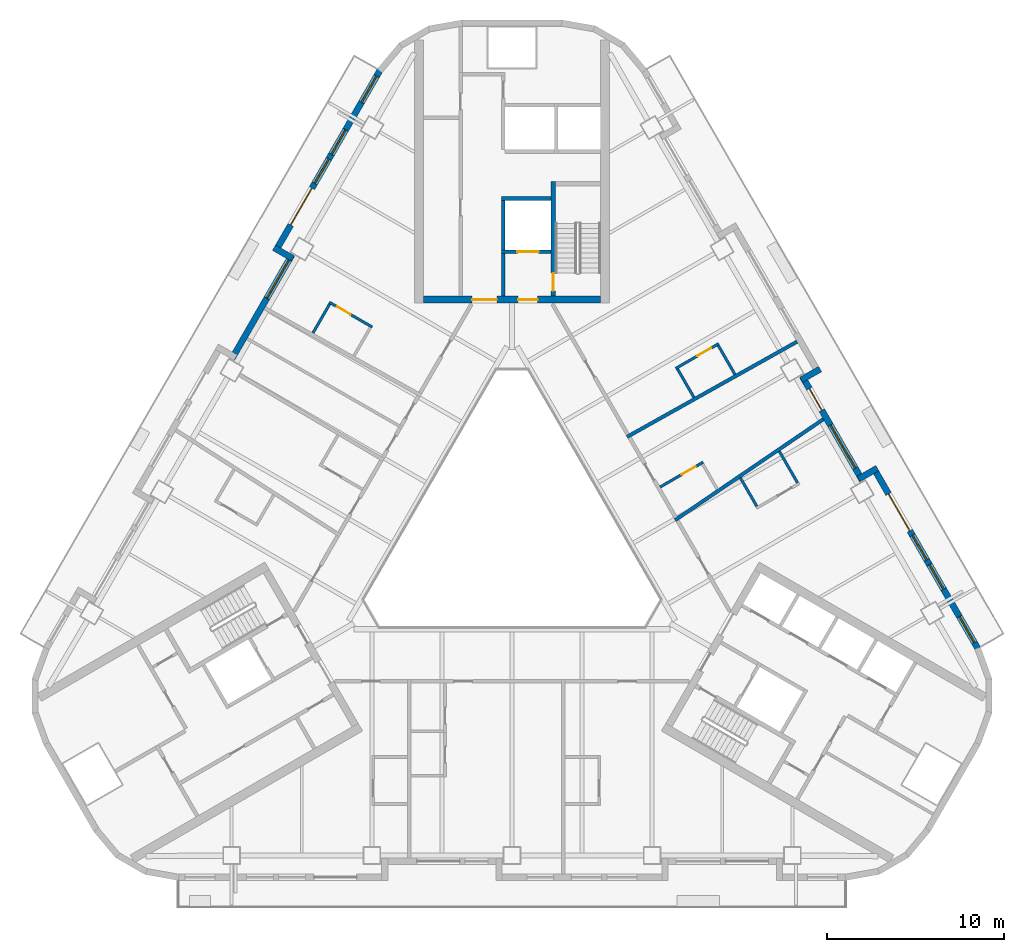
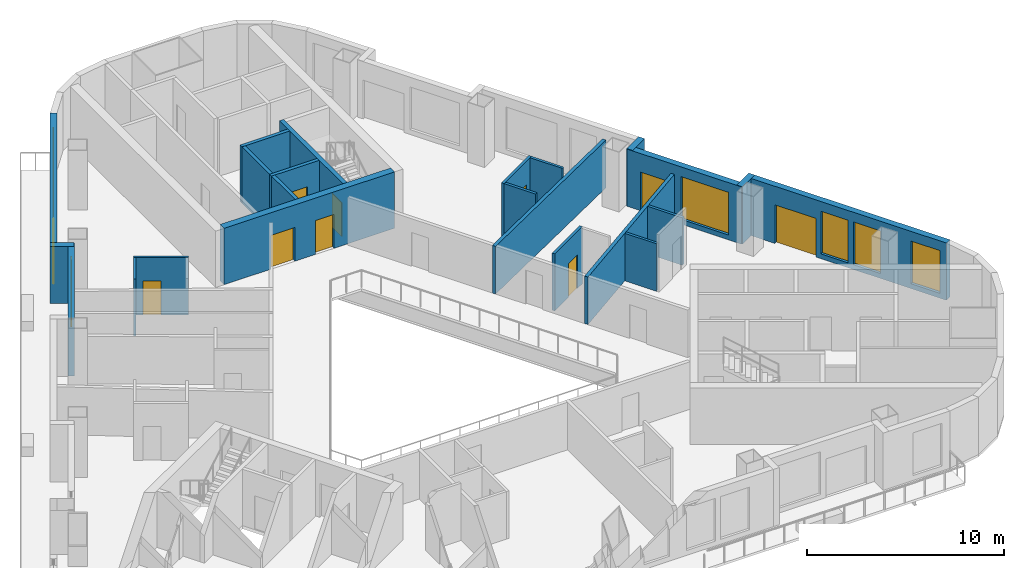
# One storey, part 6 of 13: 23 walls, 10 doors, 8 windows, 18 openings.
"""IFC4 building model written with IfcOpenShell, lengths in metres."""

from ifc_helpers import new_model, si_unit, direction, frame, frame_2d, origin, place, context, subcontext, project, spatial, rectangle, extrude, material, layer, layer_set, type_object, element, fill, save


model = new_model("IFC4")

# Units and contexts
model_context = context("Model", 3, precision=1e-05, world=origin(), true_north=direction((0.0, 1.0)))
body_context = subcontext(model_context, "Body", "Model", "MODEL_VIEW")
ifc_project = project(units=[si_unit("LENGTHUNIT", "METRE"), si_unit("AREAUNIT", "SQUARE_METRE"), si_unit("VOLUMEUNIT", "CUBIC_METRE"), si_unit("PLANEANGLEUNIT", "RADIAN"), si_unit("MASSUNIT", "GRAM", prefix="KILO")], contexts=[model_context])

# Site, building, storey
site_placement = place(None, origin())
site = spatial("IfcSite", under=ifc_project, at=site_placement, CompositionType="ELEMENT")
building_placement = place(site_placement, origin())
building = spatial("IfcBuilding", under=site, at=building_placement, Name="Apuvela Tower Hotel", CompositionType="ELEMENT")
storey_placement = place(building_placement, frame((0.0, 0.0, 57.60009765625)))
storey = spatial("IfcBuildingStorey", under=building, at=storey_placement, Name="L11", CompositionType="ELEMENT", Elevation=57.60009765625)

# Wall, openings, doors
ifc_material_1 = material(Name="Concrete C50/60", Category="concrete")
ifc_layer_1 = layer(ifc_material_1, 0.39990234375)
ifc_layer_set_1 = layer_set([ifc_layer_1], Name="COR-WALL-CORE-400")
wall_type_1 = type_object("IfcWallType", Name="COR-WALL-CORE-400", PredefinedType="SHEAR", material=ifc_layer_set_1)
wall_1_placement = place(storey_placement, frame((5.0, 13.10009765625, 0.0), z_axis=(0.0, 0.0, 1.0), x_axis=(-1.0, 0.0, 0.0)))
wall_1 = element("IfcWall", 1, at=wall_1_placement, inside=storey, type_object=wall_type_1, Name="Core wall N", PredefinedType="SHEAR", context=body_context, shape_type="SweptSolid", body=[
    extrude(rectangle(XDim=10.0, YDim=0.39990234375, at=frame_2d((5.0, 0.0))), origin(), (0.0, 0.0, 1.0), 3.5),
])
opening_1_placement = place(wall_1_placement, frame((3.550048828125, 0.0, 0.0)))
opening_1 = element("IfcOpeningElement", 2, at=opening_1_placement, cuts=wall_1, Name="Opening N-FD", PredefinedType="OPENING", context=body_context, shape_type="SweptSolid", body=[
    extrude(rectangle(XDim=1.10009765625, YDim=2.10009765625, at=frame_2d((0.550048828125, 1.050048828125))), frame((0.0, 0.2099609375, 0.0), z_axis=(0.0, -1.0, 0.0), x_axis=(1.0, 0.0, 0.0)), (0.0, 0.0, 1.0), 0.419921875),
])
opening_2_placement = place(wall_1_placement, frame((5.85009765625, 0.0, 0.0)))
opening_2 = element("IfcOpeningElement", 3, at=opening_2_placement, cuts=wall_1, Name="Opening N-GD", PredefinedType="OPENING", context=body_context, shape_type="SweptSolid", body=[
    extrude(rectangle(XDim=1.39990234375, YDim=2.10009765625, at=frame_2d((0.699951171875, 1.050048828125))), frame((0.0, 0.2099609375, 0.0), z_axis=(0.0, -1.0, 0.0), x_axis=(1.0, 0.0, 0.0)), (0.0, 0.0, 1.0), 0.419921875),
])
ifc_material_2 = material(Name="Steel fire door, powder coated", Category="steel")
door_type_1 = type_object("IfcDoorType", Name="COR-FD-1100", OperationType="NOTDEFINED", PredefinedType="DOOR", material=ifc_material_2)
door_1_placement = place(opening_1_placement, frame((1.10009765625, 0.0, 0.0), z_axis=(0.0, 0.0, 1.0), x_axis=(-1.0, 0.0, 0.0)))
door_1 = element("IfcDoor", 4, at=door_1_placement, inside=storey, type_object=door_type_1, Name="Firefighting lobby door N-FD", OperationType="SINGLE_SWING_LEFT", OverallHeight=2.10009765625, OverallWidth=1.10009765625, PredefinedType="DOOR", context=body_context, shape_type="SweptSolid", body=[
    extrude(rectangle(XDim=1.10009765625, YDim=2.10009765625, at=frame_2d((0.550048828125, 1.050048828125))), frame((0.0, 0.02490234375, 0.0), z_axis=(0.0, -1.0, 0.0), x_axis=(1.0, 0.0, 0.0)), (0.0, 0.0, 1.0), 0.050048828125),
])
fill(opening_1, door_1)
ifc_material_3 = material(Name="Glazed steel fire door", Category="steel")
door_type_2 = type_object("IfcDoorType", Name="COR-GD-1400", OperationType="DOUBLE_DOOR_SINGLE_SWING", PredefinedType="DOOR", material=ifc_material_3)
door_2_placement = place(opening_2_placement, frame((1.39990234375, 0.0, 0.0), z_axis=(0.0, 0.0, 1.0), x_axis=(-1.0, 0.0, 0.0)))
door_2 = element("IfcDoor", 5, at=door_2_placement, inside=storey, type_object=door_type_2, Name="Lift lobby door N-GD", OperationType="DOUBLE_DOOR_SINGLE_SWING", OverallHeight=2.10009765625, OverallWidth=1.39990234375, PredefinedType="DOOR", context=body_context, shape_type="SweptSolid", body=[
    extrude(rectangle(XDim=1.39990234375, YDim=2.10009765625, at=frame_2d((0.699951171875, 1.050048828125))), frame((0.0, 0.02490234375, 0.0), z_axis=(0.0, -1.0, 0.0), x_axis=(1.0, 0.0, 0.0)), (0.0, 0.0, 1.0), 0.050048828125),
])
fill(opening_2, door_2)

# Wall
ifc_layer_2 = layer(ifc_material_1, 0.199951171875)
ifc_layer_set_2 = layer_set([ifc_layer_2], Name="COR-WALL-SHAFT-200")
wall_type_2 = type_object("IfcWallType", Name="COR-WALL-SHAFT-200", PredefinedType="SHEAR", material=ifc_layer_set_2)
wall_2_placement = place(storey_placement, frame((2.199951171875, 18.800048828125, 0.0), z_axis=(0.0, 0.0, 1.0), x_axis=(-1.0, 0.0, 0.0)))
element("IfcWall", 6, at=wall_2_placement, inside=storey, type_object=wall_type_2, Name="Shaft wall N", PredefinedType="SHEAR", context=body_context, shape_type="SweptSolid", body=[
    extrude(rectangle(XDim=2.800048828125, YDim=0.199951171875, at=frame_2d((1.39990234375, 0.0))), origin(), (0.0, 0.0, 1.0), 3.5),
])

# Wall, opening, door
wall_3_placement = place(storey_placement, frame((2.199951171875, 15.800048828125, 0.0), z_axis=(0.0, 0.0, 1.0), x_axis=(-1.0, 0.0, 0.0)))
wall_3 = element("IfcWall", 7, at=wall_3_placement, inside=storey, type_object=wall_type_2, Name="Shaft wall N", PredefinedType="SHEAR", context=body_context, shape_type="SweptSolid", body=[
    extrude(rectangle(XDim=2.800048828125, YDim=0.199951171875, at=frame_2d((1.39990234375, 0.0))), origin(), (0.0, 0.0, 1.0), 3.5),
])
opening_3_placement = place(wall_3_placement, frame((0.699951171875, 0.0, 0.0)))
opening_3 = element("IfcOpeningElement", 8, at=opening_3_placement, cuts=wall_3, Name="Opening N-LD-FS1", PredefinedType="OPENING", context=body_context, shape_type="SweptSolid", body=[
    extrude(rectangle(XDim=1.199951171875, YDim=2.10009765625, at=frame_2d((0.60009765625, 1.050048828125))), frame((0.0, 0.10986328125, 0.0), z_axis=(0.0, -1.0, 0.0), x_axis=(1.0, 0.0, 0.0)), (0.0, 0.0, 1.0), 0.219970703125),
])
ifc_material_4 = material(Name="Stainless steel lift landing door", Category="steel")
door_type_3 = type_object("IfcDoorType", Name="COR-LD-1200", OperationType="DOUBLE_DOOR_SLIDING", PredefinedType="DOOR", material=ifc_material_4)
door_3_placement = place(opening_3_placement, origin())
door_3 = element("IfcDoor", 9, at=door_3_placement, inside=storey, type_object=door_type_3, Name="Lift landing door N-LD-FS1", OperationType="DOUBLE_DOOR_SLIDING", OverallHeight=2.10009765625, OverallWidth=1.199951171875, PredefinedType="DOOR", context=body_context, shape_type="SweptSolid", body=[
    extrude(rectangle(XDim=1.199951171875, YDim=2.10009765625, at=frame_2d((0.60009765625, 1.050048828125))), frame((0.0, 0.02490234375, 0.0), z_axis=(0.0, -1.0, 0.0), x_axis=(1.0, 0.0, 0.0)), (0.0, 0.0, 1.0), 0.050048828125),
])
fill(opening_3, door_3)

# Walls
wall_4_placement = place(storey_placement, frame((-0.5, 15.89990234375, 0.0), z_axis=(0.0, 0.0, 1.0), x_axis=(0.0, 1.0, 0.0)))
element("IfcWall", 10, at=wall_4_placement, inside=storey, type_object=wall_type_2, Name="Shaft wall N", PredefinedType="SHEAR", context=body_context, shape_type="SweptSolid", body=[
    extrude(rectangle(XDim=2.800048828125, YDim=0.199951171875, at=frame_2d((1.39990234375, 0.0))), origin(), (0.0, 0.0, 1.0), 3.5),
])
wall_5_placement = place(storey_placement, frame((-0.5, 13.300048828125, 0.0), z_axis=(0.0, 0.0, 1.0), x_axis=(0.0, 1.0, 0.0)))
element("IfcWall", 11, at=wall_5_placement, inside=storey, type_object=wall_type_2, Name="Shaft wall N", PredefinedType="SHEAR", context=body_context, shape_type="SweptSolid", body=[
    extrude(rectangle(XDim=2.39990234375, YDim=0.199951171875, at=frame_2d((1.199951171875, 0.0))), origin(), (0.0, 0.0, 1.0), 3.5),
])

# Wall, opening, door
ifc_layer_3 = layer(ifc_material_1, 0.25)
ifc_layer_set_3 = layer_set([ifc_layer_3], Name="COR-WALL-STAIR-250")
wall_type_3 = type_object("IfcWallType", Name="COR-WALL-STAIR-250", PredefinedType="SHEAR", material=ifc_layer_set_3)
wall_6_placement = place(storey_placement, frame((2.324951171875, 13.300048828125, 0.0), z_axis=(0.0, 0.0, 1.0), x_axis=(0.0, 1.0, 0.0)))
wall_6 = element("IfcWall", 12, at=wall_6_placement, inside=storey, type_object=wall_type_3, Name="Stair wall N", PredefinedType="SHEAR", context=body_context, shape_type="SweptSolid", body=[
    extrude(rectangle(XDim=6.449951171875, YDim=0.25, at=frame_2d((3.22509765625, 0.0))), origin(), (0.0, 0.0, 1.0), 3.5),
])
opening_4_placement = place(wall_6_placement, frame((0.300048828125, 0.0, 0.0)))
opening_4 = element("IfcOpeningElement", 13, at=opening_4_placement, cuts=wall_6, Name="Opening N-SD", PredefinedType="OPENING", context=body_context, shape_type="SweptSolid", body=[
    extrude(rectangle(XDim=1.0, YDim=2.10009765625, at=frame_2d((0.5, 1.050048828125))), frame((0.0, 0.135009765625, 0.0), z_axis=(0.0, -1.0, 0.0), x_axis=(1.0, 0.0, 0.0)), (0.0, 0.0, 1.0), 0.27001953125),
])
door_type_4 = type_object("IfcDoorType", Name="COR-SD-1000", OperationType="NOTDEFINED", PredefinedType="DOOR", material=ifc_material_2)
door_4_placement = place(opening_4_placement, frame((1.0, 0.0, 0.0), z_axis=(0.0, 0.0, 1.0), x_axis=(-1.0, 0.0, 0.0)))
door_4 = element("IfcDoor", 14, at=door_4_placement, inside=storey, type_object=door_type_4, Name="Stair door N-SD", OperationType="SINGLE_SWING_LEFT", OverallHeight=2.10009765625, OverallWidth=1.0, PredefinedType="DOOR", context=body_context, shape_type="SweptSolid", body=[
    extrude(rectangle(XDim=1.0, YDim=2.10009765625, at=frame_2d((0.5, 1.050048828125))), frame((0.0, 0.02490234375, 0.0), z_axis=(0.0, -1.0, 0.0), x_axis=(1.0, 0.0, 0.0)), (0.0, 0.0, 1.0), 0.050048828125),
])
fill(opening_4, door_4)

# Wall, openings, door, windows
ifc_material_5 = material(Name="Concrete C40/50, dark pigmented precast panel", Category="concrete")
ifc_layer_4 = layer(ifc_material_5, 0.35009765625)
ifc_layer_set_4 = layer_set([ifc_layer_4], Name="ENV-WALL-350")
wall_type_4 = type_object("IfcWallType", Name="ENV-WALL-350", PredefinedType="SOLIDWALL", material=ifc_layer_set_4)
wall_7_placement = place(storey_placement, frame((-7.440673828125, 26.0224609375, 0.0), z_axis=(0.0, 0.0, 1.0), x_axis=(-0.499992533062, -0.86602971478, 0.0)))
wall_7 = element("IfcWall", 15, at=wall_7_placement, inside=storey, type_object=wall_type_4, Name="External wall L11-01", PredefinedType="SOLIDWALL", context=body_context, shape_type="SweptSolid", body=[
    extrude(rectangle(XDim=11.815673828125, YDim=0.35009765625, at=frame_2d((5.90771484375, 0.0))), origin(), (0.0, 0.0, 1.0), 3.5498046875),
])
opening_5_placement = place(wall_7_placement, frame((0.381103515625, 0.0, 0.300048828125)))
opening_5 = element("IfcOpeningElement", 16, at=opening_5_placement, cuts=wall_7, Name="Opening WN17", PredefinedType="OPENING", context=body_context, shape_type="SweptSolid", body=[
    extrude(rectangle(XDim=1.699951171875, YDim=2.64990234375, at=frame_2d((0.85009765625, 1.324951171875))), frame((0.0, 0.18505859375, 0.0), z_axis=(0.0, -1.0, 0.0), x_axis=(1.0, 0.0, 0.0)), (0.0, 0.0, 1.0), 0.3701171875),
])
opening_6_placement = place(wall_7_placement, frame((7.66552734375, 0.0, 0.0)))
opening_6 = element("IfcOpeningElement", 17, at=opening_6_placement, cuts=wall_7, Name="Opening BD24", PredefinedType="OPENING", context=body_context, shape_type="SweptSolid", body=[
    extrude(rectangle(XDim=2.39990234375, YDim=2.39990234375, at=frame_2d((1.199951171875, 1.199951171875))), frame((0.0, 0.18505859375, 0.0), z_axis=(0.0, -1.0, 0.0), x_axis=(1.0, 0.0, 0.0)), (0.0, 0.0, 1.0), 0.3701171875),
])
opening_7_placement = place(wall_7_placement, frame((3.865478515625, 0.0, 0.300048828125)))
opening_7 = element("IfcOpeningElement", 18, at=opening_7_placement, cuts=wall_7, Name="Opening WN16", PredefinedType="OPENING", context=body_context, shape_type="SweptSolid", body=[
    extrude(rectangle(XDim=1.60009765625, YDim=2.64990234375, at=frame_2d((0.800048828125, 1.324951171875))), frame((0.0, 0.18505859375, 0.0), z_axis=(0.0, -1.0, 0.0), x_axis=(1.0, 0.0, 0.0)), (0.0, 0.0, 1.0), 0.3701171875),
])
opening_8_placement = place(wall_7_placement, frame((5.765380859375, 0.0, 0.300048828125)))
opening_8 = element("IfcOpeningElement", 19, at=opening_8_placement, cuts=wall_7, Name="Opening WN16", PredefinedType="OPENING", context=body_context, shape_type="SweptSolid", body=[
    extrude(rectangle(XDim=1.60009765625, YDim=2.64990234375, at=frame_2d((0.800048828125, 1.324951171875))), frame((0.0, 0.18505859375, 0.0), z_axis=(0.0, -1.0, 0.0), x_axis=(1.0, 0.0, 0.0)), (0.0, 0.0, 1.0), 0.3701171875),
])
ifc_material_6 = material(Name="Aluminium 6063-T6, dark bronze anodised frame with dark tinted laminated glass", Category="aluminium")
door_type_5 = type_object("IfcDoorType", Name="ENV-DOOR-BALCONY-2400x2400", OperationType="SLIDING_TO_LEFT", PredefinedType="DOOR", material=ifc_material_6)
door_5_placement = place(opening_6_placement, frame((2.39990234375, 0.0, 0.0), z_axis=(0.0, 0.0, 1.0), x_axis=(-1.0, 0.0, 0.0)))
door_5 = element("IfcDoor", 20, at=door_5_placement, inside=storey, type_object=door_type_5, Name="Balcony door BD24", OperationType="SLIDING_TO_LEFT", OverallHeight=2.39990234375, OverallWidth=2.39990234375, PredefinedType="DOOR", context=body_context, shape_type="SweptSolid", body=[
    extrude(rectangle(XDim=2.39990234375, YDim=2.39990234375, at=frame_2d((1.199951171875, 1.199951171875))), frame((0.0, 0.02490234375, 0.0), z_axis=(0.0, -1.0, 0.0), x_axis=(1.0, 0.0, 0.0)), (0.0, 0.0, 1.0), 0.050048828125),
])
fill(opening_6, door_5)
ifc_material_7 = material(Name="Glass, dark tinted laminated insulated glazing unit", Category="glass")
window_type_1 = type_object("IfcWindowType", Name="ENV-WIN-1600x2650", PartitioningType="SINGLE_PANEL", PredefinedType="WINDOW", material=ifc_material_7)
window_1_placement = place(opening_7_placement, origin())
window_1 = element("IfcWindow", 21, at=window_1_placement, inside=storey, type_object=window_type_1, Name="Window WN16", OverallHeight=2.64990234375, OverallWidth=1.60009765625, PartitioningType="SINGLE_PANEL", PredefinedType="WINDOW", context=body_context, shape_type="SweptSolid", body=[
    extrude(rectangle(XDim=1.60009765625, YDim=2.64990234375, at=frame_2d((0.800048828125, 1.324951171875))), frame((0.0, 0.030029296875, 0.0), z_axis=(0.0, -1.0, 0.0), x_axis=(1.0, 0.0, 0.0)), (0.0, 0.0, 1.0), 0.06005859375),
])
fill(opening_7, window_1)
window_2_placement = place(opening_8_placement, origin())
window_2 = element("IfcWindow", 22, at=window_2_placement, inside=storey, type_object=window_type_1, Name="Window WN16", OverallHeight=2.64990234375, OverallWidth=1.60009765625, PartitioningType="SINGLE_PANEL", PredefinedType="WINDOW", context=body_context, shape_type="SweptSolid", body=[
    extrude(rectangle(XDim=1.60009765625, YDim=2.64990234375, at=frame_2d((0.800048828125, 1.324951171875))), frame((0.0, 0.030029296875, 0.0), z_axis=(0.0, -1.0, 0.0), x_axis=(1.0, 0.0, 0.0)), (0.0, 0.0, 1.0), 0.06005859375),
])
fill(opening_8, window_2)
window_type_2 = type_object("IfcWindowType", Name="ENV-WIN-1700x2650", PartitioningType="SINGLE_PANEL", PredefinedType="WINDOW", material=ifc_material_7)
window_3_placement = place(opening_5_placement, origin())
window_3 = element("IfcWindow", 23, at=window_3_placement, inside=storey, type_object=window_type_2, Name="Window WN17", OverallHeight=2.64990234375, OverallWidth=1.699951171875, PartitioningType="SINGLE_PANEL", PredefinedType="WINDOW", context=body_context, shape_type="SweptSolid", body=[
    extrude(rectangle(XDim=1.699951171875, YDim=2.64990234375, at=frame_2d((0.85009765625, 1.324951171875))), frame((0.0, 0.030029296875, 0.0), z_axis=(0.0, -1.0, 0.0), x_axis=(1.0, 0.0, 0.0)), (0.0, 0.0, 1.0), 0.06005859375),
])
fill(opening_5, window_3)

# Wall
wall_8_placement = place(storey_placement, frame((-13.41259765625, 16.02880859375, 0.0), z_axis=(0.0, 0.0, 1.0), x_axis=(0.866005645448, -0.500034220881, 0.0)))
element("IfcWall", 24, at=wall_8_placement, inside=storey, type_object=wall_type_4, Name="External wall L11-02", PredefinedType="SOLIDWALL", context=body_context, shape_type="SweptSolid", body=[
    extrude(rectangle(XDim=1.22021484375, YDim=0.35009765625, at=frame_2d((0.610107421875, 0.0))), origin(), (0.0, 0.0, 1.0), 3.5498046875),
])

# Wall, opening, window
wall_9_placement = place(storey_placement, frame((-12.408935546875, 15.616943359375, 0.0), z_axis=(0.0, 0.0, 1.0), x_axis=(-0.500003597184, -0.866023326939, 0.0)))
wall_9 = element("IfcWall", 25, at=wall_9_placement, inside=storey, type_object=wall_type_4, Name="External wall L11-03", PredefinedType="SOLIDWALL", context=body_context, shape_type="SweptSolid", body=[
    extrude(rectangle(XDim=6.740234375, YDim=0.35009765625, at=frame_2d((3.3701171875, 0.0))), origin(), (0.0, 0.0, 1.0), 3.5498046875),
])
opening_9_placement = place(wall_9_placement, frame((0.3203125, 0.0, 0.300048828125)))
opening_9 = element("IfcOpeningElement", 26, at=opening_9_placement, cuts=wall_9, Name="Opening WN25", PredefinedType="OPENING", context=body_context, shape_type="SweptSolid", body=[
    extrude(rectangle(XDim=2.5, YDim=2.64990234375, at=frame_2d((1.25, 1.324951171875))), frame((0.0, 0.18505859375, 0.0), z_axis=(0.0, -1.0, 0.0), x_axis=(1.0, 0.0, 0.0)), (0.0, 0.0, 1.0), 0.3701171875),
])
window_type_3 = type_object("IfcWindowType", Name="ENV-WIN-2500x2650", PartitioningType="SINGLE_PANEL", PredefinedType="WINDOW", material=ifc_material_7)
window_4_placement = place(opening_9_placement, origin())
window_4 = element("IfcWindow", 27, at=window_4_placement, inside=storey, type_object=window_type_3, Name="Window WN25", OverallHeight=2.64990234375, OverallWidth=2.5, PartitioningType="SINGLE_PANEL", PredefinedType="WINDOW", context=body_context, shape_type="SweptSolid", body=[
    extrude(rectangle(XDim=2.5, YDim=2.64990234375, at=frame_2d((1.25, 1.324951171875))), frame((0.0, 0.030029296875, 0.0), z_axis=(0.0, -1.0, 0.0), x_axis=(1.0, 0.0, 0.0)), (0.0, 0.0, 1.0), 0.06005859375),
])
fill(opening_9, window_4)

# Wall, openings, door, windows
wall_10_placement = place(storey_placement, frame((26.256591796875, -6.5673828125, 0.0), z_axis=(0.0, 0.0, 1.0), x_axis=(-0.500023526245, 0.866011820475, 0.0)))
wall_10 = element("IfcWall", 28, at=wall_10_placement, inside=storey, type_object=wall_type_4, Name="External wall L11-33", PredefinedType="SOLIDWALL", context=body_context, shape_type="SweptSolid", body=[
    extrude(rectangle(XDim=11.81591796875, YDim=0.35009765625, at=frame_2d((5.907958984375, 0.0))), origin(), (0.0, 0.0, 1.0), 3.5498046875),
])
opening_10_placement = place(wall_10_placement, frame((0.380126953125, 0.0, 0.300048828125)))
opening_10 = element("IfcOpeningElement", 29, at=opening_10_placement, cuts=wall_10, Name="Opening WN17", PredefinedType="OPENING", context=body_context, shape_type="SweptSolid", body=[
    extrude(rectangle(XDim=1.699951171875, YDim=2.64990234375, at=frame_2d((0.85009765625, 1.324951171875))), frame((0.0, 0.18505859375, 0.0), z_axis=(0.0, -1.0, 0.0), x_axis=(1.0, 0.0, 0.0)), (0.0, 0.0, 1.0), 0.3701171875),
])
opening_11_placement = place(wall_10_placement, frame((7.666015625, 0.0, 0.0)))
opening_11 = element("IfcOpeningElement", 30, at=opening_11_placement, cuts=wall_10, Name="Opening BD24", PredefinedType="OPENING", context=body_context, shape_type="SweptSolid", body=[
    extrude(rectangle(XDim=2.39990234375, YDim=2.39990234375, at=frame_2d((1.199951171875, 1.199951171875))), frame((0.0, 0.18505859375, 0.0), z_axis=(0.0, -1.0, 0.0), x_axis=(1.0, 0.0, 0.0)), (0.0, 0.0, 1.0), 0.3701171875),
])
opening_12_placement = place(wall_10_placement, frame((3.865234375, 0.0, 0.300048828125)))
opening_12 = element("IfcOpeningElement", 31, at=opening_12_placement, cuts=wall_10, Name="Opening WN16", PredefinedType="OPENING", context=body_context, shape_type="SweptSolid", body=[
    extrude(rectangle(XDim=1.60009765625, YDim=2.64990234375, at=frame_2d((0.800048828125, 1.324951171875))), frame((0.0, 0.18505859375, 0.0), z_axis=(0.0, -1.0, 0.0), x_axis=(1.0, 0.0, 0.0)), (0.0, 0.0, 1.0), 0.3701171875),
])
opening_13_placement = place(wall_10_placement, frame((5.765380859375, 0.0, 0.300048828125)))
opening_13 = element("IfcOpeningElement", 32, at=opening_13_placement, cuts=wall_10, Name="Opening WN16", PredefinedType="OPENING", context=body_context, shape_type="SweptSolid", body=[
    extrude(rectangle(XDim=1.60009765625, YDim=2.64990234375, at=frame_2d((0.800048828125, 1.324951171875))), frame((0.0, 0.18505859375, 0.0), z_axis=(0.0, -1.0, 0.0), x_axis=(1.0, 0.0, 0.0)), (0.0, 0.0, 1.0), 0.3701171875),
])
door_6_placement = place(opening_11_placement, frame((2.39990234375, 0.0, 0.0), z_axis=(0.0, 0.0, 1.0), x_axis=(-1.0, 0.0, 0.0)))
door_6 = element("IfcDoor", 33, at=door_6_placement, inside=storey, type_object=door_type_5, Name="Balcony door BD24", OperationType="SLIDING_TO_LEFT", OverallHeight=2.39990234375, OverallWidth=2.39990234375, PredefinedType="DOOR", context=body_context, shape_type="SweptSolid", body=[
    extrude(rectangle(XDim=2.39990234375, YDim=2.39990234375, at=frame_2d((1.199951171875, 1.199951171875))), frame((0.0, 0.02490234375, 0.0), z_axis=(0.0, -1.0, 0.0), x_axis=(1.0, 0.0, 0.0)), (0.0, 0.0, 1.0), 0.050048828125),
])
fill(opening_11, door_6)
window_5_placement = place(opening_12_placement, origin())
window_5 = element("IfcWindow", 34, at=window_5_placement, inside=storey, type_object=window_type_1, Name="Window WN16", OverallHeight=2.64990234375, OverallWidth=1.60009765625, PartitioningType="SINGLE_PANEL", PredefinedType="WINDOW", context=body_context, shape_type="SweptSolid", body=[
    extrude(rectangle(XDim=1.60009765625, YDim=2.64990234375, at=frame_2d((0.800048828125, 1.324951171875))), frame((0.0, 0.030029296875, 0.0), z_axis=(0.0, -1.0, 0.0), x_axis=(1.0, 0.0, 0.0)), (0.0, 0.0, 1.0), 0.06005859375),
])
fill(opening_12, window_5)
window_6_placement = place(opening_13_placement, origin())
window_6 = element("IfcWindow", 35, at=window_6_placement, inside=storey, type_object=window_type_1, Name="Window WN16", OverallHeight=2.64990234375, OverallWidth=1.60009765625, PartitioningType="SINGLE_PANEL", PredefinedType="WINDOW", context=body_context, shape_type="SweptSolid", body=[
    extrude(rectangle(XDim=1.60009765625, YDim=2.64990234375, at=frame_2d((0.800048828125, 1.324951171875))), frame((0.0, 0.030029296875, 0.0), z_axis=(0.0, -1.0, 0.0), x_axis=(1.0, 0.0, 0.0)), (0.0, 0.0, 1.0), 0.06005859375),
])
fill(opening_13, window_6)
window_7_placement = place(opening_10_placement, origin())
window_7 = element("IfcWindow", 36, at=window_7_placement, inside=storey, type_object=window_type_2, Name="Window WN17", OverallHeight=2.64990234375, OverallWidth=1.699951171875, PartitioningType="SINGLE_PANEL", PredefinedType="WINDOW", context=body_context, shape_type="SweptSolid", body=[
    extrude(rectangle(XDim=1.699951171875, YDim=2.64990234375, at=frame_2d((0.85009765625, 1.324951171875))), frame((0.0, 0.030029296875, 0.0), z_axis=(0.0, -1.0, 0.0), x_axis=(1.0, 0.0, 0.0)), (0.0, 0.0, 1.0), 0.06005859375),
])
fill(opening_10, window_7)

# Wall
wall_11_placement = place(storey_placement, frame((20.587646484375, 3.601318359375, 0.0), z_axis=(0.0, 0.0, 1.0), x_axis=(-0.866005645448, -0.500034220881, 0.0)))
element("IfcWall", 37, at=wall_11_placement, inside=storey, type_object=wall_type_4, Name="External wall L11-34", PredefinedType="SOLIDWALL", context=body_context, shape_type="SweptSolid", body=[
    extrude(rectangle(XDim=1.22021484375, YDim=0.35009765625, at=frame_2d((0.610107421875, 0.0))), origin(), (0.0, 0.0, 1.0), 3.5498046875),
])

# Wall, openings, door, window
wall_12_placement = place(storey_placement, frame((19.72900390625, 2.93798828125, 0.0), z_axis=(0.0, 0.0, 1.0), x_axis=(-0.499976430342, 0.866039011305, 0.0)))
wall_12 = element("IfcWall", 38, at=wall_12_placement, inside=storey, type_object=wall_type_4, Name="External wall L11-35", PredefinedType="SOLIDWALL", context=body_context, shape_type="SweptSolid", body=[
    extrude(rectangle(XDim=6.739990234375, YDim=0.35009765625, at=frame_2d((3.3701171875, 0.0))), origin(), (0.0, 0.0, 1.0), 3.5498046875),
])
opening_14_placement = place(wall_12_placement, frame((0.77001953125, 0.0, 0.300048828125)))
opening_14 = element("IfcOpeningElement", 39, at=opening_14_placement, cuts=wall_12, Name="Opening WN28", PredefinedType="OPENING", context=body_context, shape_type="SweptSolid", body=[
    extrude(rectangle(XDim=2.800048828125, YDim=2.64990234375, at=frame_2d((1.39990234375, 1.324951171875))), frame((0.0, 0.18505859375, 0.0), z_axis=(0.0, -1.0, 0.0), x_axis=(1.0, 0.0, 0.0)), (0.0, 0.0, 1.0), 0.3701171875),
])
opening_15_placement = place(wall_12_placement, frame((4.536376953125, 0.0, 0.0)))
opening_15 = element("IfcOpeningElement", 40, at=opening_15_placement, cuts=wall_12, Name="Opening BD14", PredefinedType="OPENING", context=body_context, shape_type="SweptSolid", body=[
    extrude(rectangle(XDim=1.39990234375, YDim=2.39990234375, at=frame_2d((0.699951171875, 1.199951171875))), frame((0.0, 0.18505859375, 0.0), z_axis=(0.0, -1.0, 0.0), x_axis=(1.0, 0.0, 0.0)), (0.0, 0.0, 1.0), 0.3701171875),
])
door_type_6 = type_object("IfcDoorType", Name="ENV-DOOR-BALCONY-1400x2400", OperationType="SLIDING_TO_LEFT", PredefinedType="DOOR", material=ifc_material_6)
door_7_placement = place(opening_15_placement, frame((1.39990234375, 0.0, 0.0), z_axis=(0.0, 0.0, 1.0), x_axis=(-1.0, 0.0, 0.0)))
door_7 = element("IfcDoor", 41, at=door_7_placement, inside=storey, type_object=door_type_6, Name="Balcony door BD14", OperationType="SLIDING_TO_LEFT", OverallHeight=2.39990234375, OverallWidth=1.39990234375, PredefinedType="DOOR", context=body_context, shape_type="SweptSolid", body=[
    extrude(rectangle(XDim=1.39990234375, YDim=2.39990234375, at=frame_2d((0.699951171875, 1.199951171875))), frame((0.0, 0.02490234375, 0.0), z_axis=(0.0, -1.0, 0.0), x_axis=(1.0, 0.0, 0.0)), (0.0, 0.0, 1.0), 0.050048828125),
])
fill(opening_15, door_7)
window_type_4 = type_object("IfcWindowType", Name="ENV-WIN-2800x2650", PartitioningType="SINGLE_PANEL", PredefinedType="WINDOW", material=ifc_material_7)
window_8_placement = place(opening_14_placement, origin())
window_8 = element("IfcWindow", 42, at=window_8_placement, inside=storey, type_object=window_type_4, Name="Window WN28", OverallHeight=2.64990234375, OverallWidth=2.800048828125, PartitioningType="SINGLE_PANEL", PredefinedType="WINDOW", context=body_context, shape_type="SweptSolid", body=[
    extrude(rectangle(XDim=2.800048828125, YDim=2.64990234375, at=frame_2d((1.39990234375, 1.324951171875))), frame((0.0, 0.030029296875, 0.0), z_axis=(0.0, -1.0, 0.0), x_axis=(1.0, 0.0, 0.0)), (0.0, 0.0, 1.0), 0.06005859375),
])
fill(opening_14, window_8)

# Walls
wall_13_placement = place(storey_placement, frame((16.305908203125, 8.5771484375, 0.0), z_axis=(0.0, 0.0, 1.0), x_axis=(0.866092288191, 0.499884134912, 0.0)))
element("IfcWall", 43, at=wall_13_placement, inside=storey, type_object=wall_type_4, Name="External wall L11-36", PredefinedType="SOLIDWALL", context=body_context, shape_type="SweptSolid", body=[
    extrude(rectangle(XDim=1.219970703125, YDim=0.35009765625, at=frame_2d((0.60986328125, 0.0))), origin(), (0.0, 0.0, 1.0), 3.5498046875),
])
ifc_material_8 = material(Name="Gypsum board partition on twin steel stud", Category="steel")
ifc_layer_5 = layer(ifc_material_8, 0.199951171875)
ifc_layer_set_5 = layer_set([ifc_layer_5], Name="GST-PW1")
wall_type_5 = type_object("IfcWallType", Name="GST-PW1", PredefinedType="PARTITIONING", material=ifc_layer_set_5)
wall_14_placement = place(storey_placement, frame((17.551025390625, 6.36083984375, 0.0), z_axis=(0.0, 0.0, 1.0), x_axis=(-0.826656859261, -0.562706350627, 0.0)))
element("IfcWall", 44, at=wall_14_placement, inside=storey, type_object=wall_type_5, Name="L11 partition 03", PredefinedType="PARTITIONING", context=body_context, shape_type="SweptSolid", body=[
    extrude(rectangle(XDim=10.10791015625, YDim=0.199951171875, at=frame_2d((5.053955078125, 0.0))), origin(), (0.0, 0.0, 1.0), 2.949951171875),
])
wall_15_placement = place(storey_placement, frame((16.06689453125, 10.731201171875, 0.0), z_axis=(0.0, 0.0, 1.0), x_axis=(-0.872443451626, -0.488715074164, 0.0)))
element("IfcWall", 45, at=wall_15_placement, inside=storey, type_object=wall_type_5, Name="L11 partition 04", PredefinedType="PARTITIONING", context=body_context, shape_type="SweptSolid", body=[
    extrude(rectangle(XDim=10.980712890625, YDim=0.199951171875, at=frame_2d((5.490234375, 0.0))), origin(), (0.0, 0.0, 1.0), 2.9599609375),
])
ifc_material_9 = material(Name="Moisture-resistant gypsum board wet wall on steel stud", Category="steel")
ifc_layer_6 = layer(ifc_material_9, 0.14990234375)
ifc_layer_set_6 = layer_set([ifc_layer_6], Name="GST-PW3")
wall_type_6 = type_object("IfcWallType", Name="GST-PW3", PredefinedType="PARTITIONING", material=ifc_layer_set_6)
wall_16_placement = place(storey_placement, frame((16.0947265625, 2.77294921875, 0.0), z_axis=(0.0, 0.0, 1.0), x_axis=(-0.499990189338, 0.866031067899, 0.0)))
element("IfcWall", 46, at=wall_16_placement, inside=storey, type_object=wall_type_6, Name="L11 partition 23", PredefinedType="PARTITIONING", context=body_context, shape_type="SweptSolid", body=[
    extrude(rectangle(XDim=2.05224609375, YDim=0.14990234375, at=frame_2d((1.026123046875, 0.0))), origin(), (0.0, 0.0, 1.0), 2.949951171875),
])
wall_17_placement = place(storey_placement, frame((13.7998046875, 1.447998046875, 0.0), z_axis=(0.0, 0.0, 1.0), x_axis=(-0.499988210251, 0.866032210492, 0.0)))
element("IfcWall", 47, at=wall_17_placement, inside=storey, type_object=wall_type_6, Name="L11 partition 24", PredefinedType="PARTITIONING", context=body_context, shape_type="SweptSolid", body=[
    extrude(rectangle(XDim=1.85546875, YDim=0.14990234375, at=frame_2d((0.927734375, 0.0))), origin(), (0.0, 0.0, 1.0), 2.949951171875),
])

# Wall, opening, door
wall_18_placement = place(storey_placement, frame((10.7734375, 3.939697265625, 0.0), z_axis=(0.0, 0.0, 1.0), x_axis=(-0.866034573852, -0.49998411664, 0.0)))
wall_18 = element("IfcWall", 48, at=wall_18_placement, inside=storey, type_object=wall_type_6, Name="L11 partition 26", PredefinedType="PARTITIONING", context=body_context, shape_type="SweptSolid", body=[
    extrude(rectangle(XDim=2.7998046875, YDim=0.14990234375, at=frame_2d((1.39990234375, 0.0))), origin(), (0.0, 0.0, 1.0), 3.5498046875),
])
opening_16_placement = place(wall_18_placement, frame((0.5, 0.0, 0.0)))
opening_16 = element("IfcOpeningElement", 49, at=opening_16_placement, cuts=wall_18, Name="Opening GD02-10", PredefinedType="OPENING", context=body_context, shape_type="SweptSolid", body=[
    extrude(rectangle(XDim=0.89990234375, YDim=2.10009765625, at=frame_2d((0.449951171875, 1.050048828125))), frame((0.0, 0.0849609375, 0.0), z_axis=(0.0, -1.0, 0.0), x_axis=(1.0, 0.0, 0.0)), (0.0, 0.0, 1.0), 0.169921875),
])
ifc_material_10 = material(Name="Timber door leaf in steel frame", Category="steel")
door_type_7 = type_object("IfcDoorType", Name="GST-D2", OperationType="NOTDEFINED", PredefinedType="DOOR", material=ifc_material_10)
door_8_placement = place(opening_16_placement, origin())
door_8 = element("IfcDoor", 50, at=door_8_placement, inside=storey, type_object=door_type_7, Name="Door L11-10", OperationType="SINGLE_SWING_LEFT", OverallHeight=2.10009765625, OverallWidth=0.89990234375, PredefinedType="DOOR", context=body_context, shape_type="SweptSolid", body=[
    extrude(rectangle(XDim=0.89990234375, YDim=2.10009765625, at=frame_2d((0.449951171875, 1.050048828125))), frame((0.0, 0.02490234375, 0.0), z_axis=(0.0, -1.0, 0.0), x_axis=(1.0, 0.0, 0.0)), (0.0, 0.0, 1.0), 0.050048828125),
])
fill(opening_16, door_8)

wall_19_placement = place(storey_placement, frame((11.65087890625, 10.6201171875, 0.0), z_axis=(0.0, 0.0, 1.0), x_axis=(-0.865996816683, -0.500049511043, 0.0)))
wall_19 = element("IfcWall", 51, at=wall_19_placement, inside=storey, type_object=wall_type_6, Name="L11 partition 29", PredefinedType="PARTITIONING", context=body_context, shape_type="SweptSolid", body=[
    extrude(rectangle(XDim=2.800048828125, YDim=0.14990234375, at=frame_2d((1.39990234375, 0.0))), origin(), (0.0, 0.0, 1.0), 3.5498046875),
])
opening_17_placement = place(wall_19_placement, frame((0.5, 0.0, 0.0)))
opening_17 = element("IfcOpeningElement", 52, at=opening_17_placement, cuts=wall_19, Name="Opening GD02-12", PredefinedType="OPENING", context=body_context, shape_type="SweptSolid", body=[
    extrude(rectangle(XDim=0.89990234375, YDim=2.10009765625, at=frame_2d((0.449951171875, 1.050048828125))), frame((0.0, 0.0849609375, 0.0), z_axis=(0.0, -1.0, 0.0), x_axis=(1.0, 0.0, 0.0)), (0.0, 0.0, 1.0), 0.169921875),
])
door_9_placement = place(opening_17_placement, origin())
door_9 = element("IfcDoor", 53, at=door_9_placement, inside=storey, type_object=door_type_7, Name="Door L11-12", OperationType="SINGLE_SWING_LEFT", OverallHeight=2.10009765625, OverallWidth=0.89990234375, PredefinedType="DOOR", context=body_context, shape_type="SweptSolid", body=[
    extrude(rectangle(XDim=0.89990234375, YDim=2.10009765625, at=frame_2d((0.449951171875, 1.050048828125))), frame((0.0, 0.02490234375, 0.0), z_axis=(0.0, -1.0, 0.0), x_axis=(1.0, 0.0, 0.0)), (0.0, 0.0, 1.0), 0.050048828125),
])
fill(opening_17, door_9)

# Walls
wall_20_placement = place(storey_placement, frame((12.566162109375, 8.884765625, 0.0), z_axis=(0.0, 0.0, 1.0), x_axis=(-0.499969057507, 0.866043267704, 0.0)))
element("IfcWall", 54, at=wall_20_placement, inside=storey, type_object=wall_type_6, Name="L11 partition 30", PredefinedType="PARTITIONING", context=body_context, shape_type="SweptSolid", body=[
    extrude(rectangle(XDim=1.88525390625, YDim=0.14990234375, at=frame_2d((0.942626953125, 0.0))), origin(), (0.0, 0.0, 1.0), 3.5498046875),
])
wall_21_placement = place(storey_placement, frame((10.25390625, 7.589599609375, 0.0), z_axis=(0.0, 0.0, 1.0), x_axis=(-0.499912756669, 0.866075767886, 0.0)))
element("IfcWall", 55, at=wall_21_placement, inside=storey, type_object=wall_type_6, Name="L11 partition 31", PredefinedType="PARTITIONING", context=body_context, shape_type="SweptSolid", body=[
    extrude(rectangle(XDim=1.850830078125, YDim=0.14990234375, at=frame_2d((0.92529296875, 0.0))), origin(), (0.0, 0.0, 1.0), 3.5498046875),
])

# Wall, opening, door
wall_22_placement = place(storey_placement, frame((-7.8779296875, 11.554931640625, 0.0), z_axis=(0.0, 0.0, 1.0), x_axis=(-0.865996816683, 0.500049511043, 0.0)))
wall_22 = element("IfcWall", 56, at=wall_22_placement, inside=storey, type_object=wall_type_6, Name="L11 partition 33", PredefinedType="PARTITIONING", context=body_context, shape_type="SweptSolid", body=[
    extrude(rectangle(XDim=2.800048828125, YDim=0.14990234375, at=frame_2d((1.39990234375, 0.0))), origin(), (0.0, 0.0, 1.0), 3.5498046875),
])
opening_18_placement = place(wall_22_placement, frame((1.39990234375, 0.0, 0.0)))
opening_18 = element("IfcOpeningElement", 57, at=opening_18_placement, cuts=wall_22, Name="Opening GD02-14", PredefinedType="OPENING", context=body_context, shape_type="SweptSolid", body=[
    extrude(rectangle(XDim=0.89990234375, YDim=2.10009765625, at=frame_2d((0.449951171875, 1.050048828125))), frame((0.0, 0.0849609375, 0.0), z_axis=(0.0, -1.0, 0.0), x_axis=(1.0, 0.0, 0.0)), (0.0, 0.0, 1.0), 0.169921875),
])
door_10_placement = place(opening_18_placement, origin())
door_10 = element("IfcDoor", 58, at=door_10_placement, inside=storey, type_object=door_type_7, Name="Door L11-14", OperationType="SINGLE_SWING_RIGHT", OverallHeight=2.10009765625, OverallWidth=0.89990234375, PredefinedType="DOOR", context=body_context, shape_type="SweptSolid", body=[
    extrude(rectangle(XDim=0.89990234375, YDim=2.10009765625, at=frame_2d((0.449951171875, 1.050048828125))), frame((0.0, 0.02490234375, 0.0), z_axis=(0.0, -1.0, 0.0), x_axis=(1.0, 0.0, 0.0)), (0.0, 0.0, 1.0), 0.050048828125),
])
fill(opening_18, door_10)

# Wall
wall_23_placement = place(storey_placement, frame((-10.275390625, 12.8525390625, 0.0), z_axis=(0.0, 0.0, 1.0), x_axis=(-0.499950073403, -0.866054227, 0.0)))
element("IfcWall", 59, at=wall_23_placement, inside=storey, type_object=wall_type_6, Name="L11 partition 34", PredefinedType="PARTITIONING", context=body_context, shape_type="SweptSolid", body=[
    extrude(rectangle(XDim=1.887939453125, YDim=0.14990234375, at=frame_2d((0.94384765625, 0.0))), origin(), (0.0, 0.0, 1.0), 3.5498046875),
])

save(model, "model.ifc")
